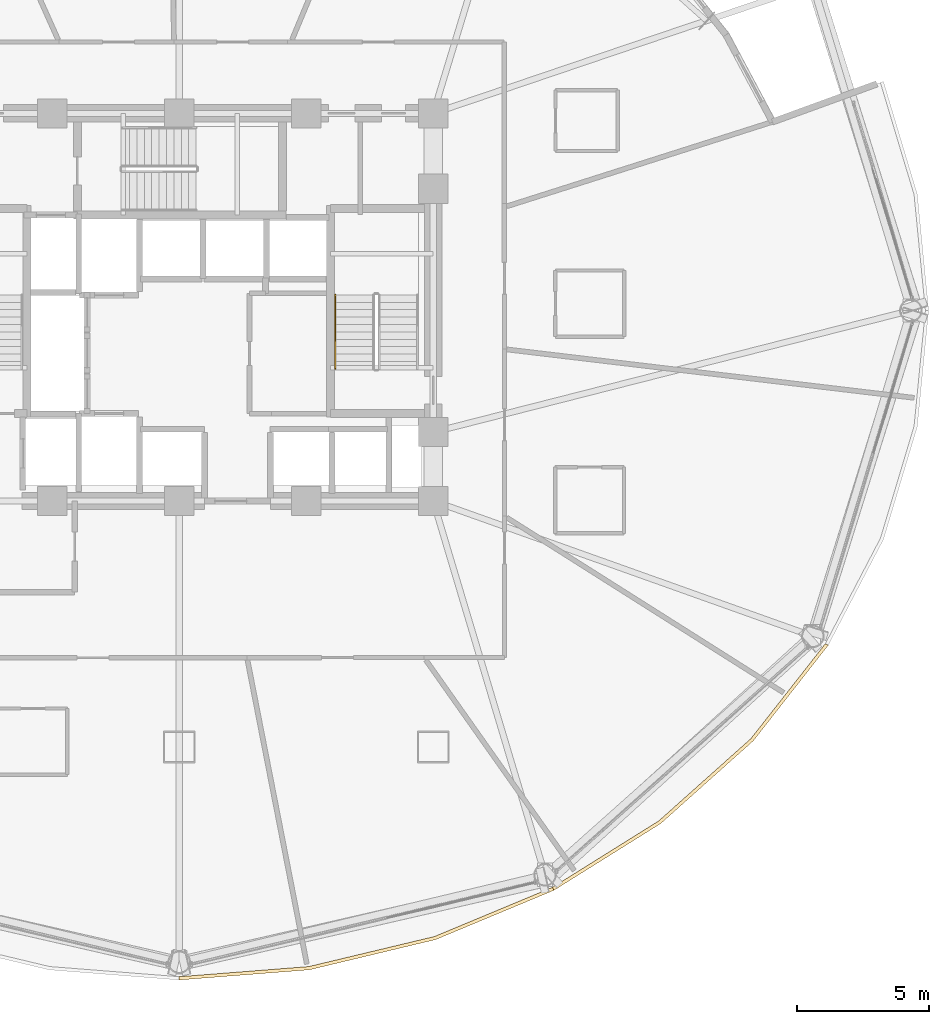
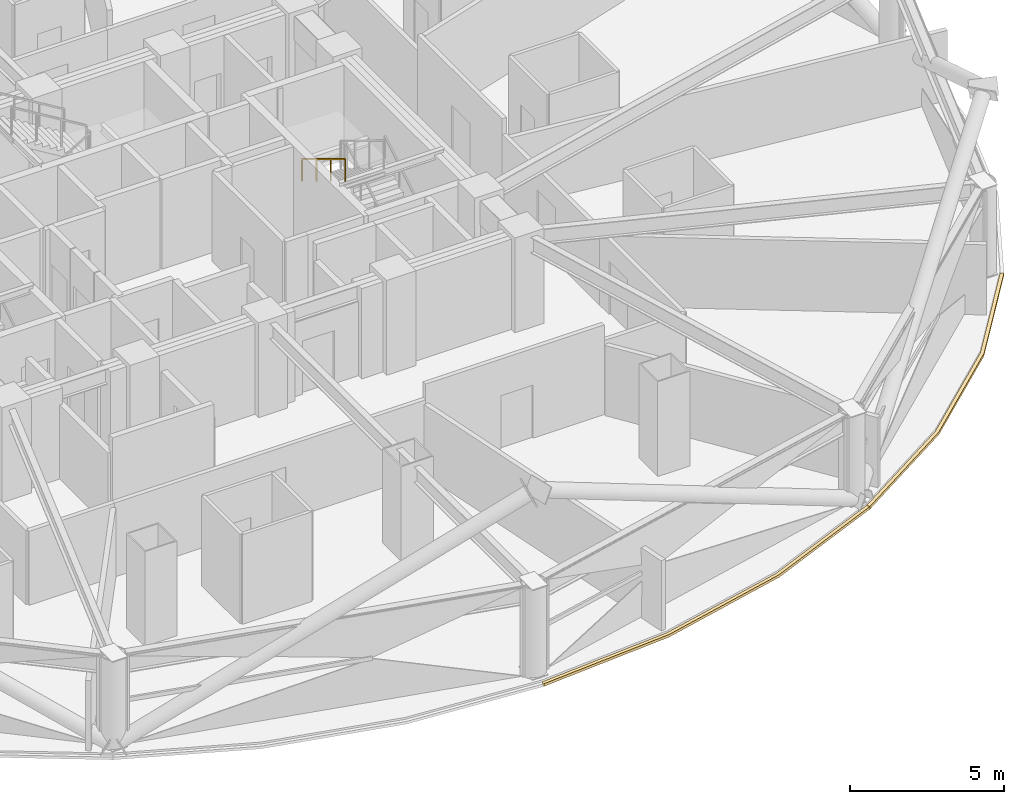
# One storey, part 31 of 33: 2 coverings, 1 railing.
"""IFC4 building model written with IfcOpenShell, lengths in metres."""

import ifcopenshell
import ifcopenshell.guid

model = None  # the IFC model being written
_history = None  # IfcOwnerHistory: only IFC2X3 demands one
_inside = {}  # id of a spatial element -> (the spatial element, [elements in it])
_under = {}  # id of a project, library or spatial element -> (it, [spatial elements below it])
_declared = {}  # id of a project -> (the project, [libraries it declares])
_typed = {}  # id of a type object -> (the type object, [elements of that type])
_made_of = {}  # id of a material, layer set ... -> (it, [elements and type objects made of it])


def new_model(schema):
    """Start an empty IFC model of exactly this schema.

    Asked for "IFC4X3", IfcOpenShell would pick the latest addendum, in which some entities
    have other attributes; the version numbers below select the first issue.
    IFC2X3 requires an IfcOwnerHistory on every rooted entity: one is made here for all.
    """
    global model, _history
    if schema == "IFC4X3":
        model = ifcopenshell.file(schema_version=(4, 3, 0, 0))
    else:
        model = ifcopenshell.file(schema=schema)
    _inside.clear()
    _under.clear()
    _declared.clear()
    _typed.clear()
    _made_of.clear()
    _history = None
    if model.schema == "IFC2X3":
        org = make("IfcOrganization", Name="unknown")
        user = make(
            "IfcPersonAndOrganization",
            ThePerson=make("IfcPerson", FamilyName="unknown"),
            TheOrganization=org,
        )
        app = make(
            "IfcApplication",
            ApplicationDeveloper=org,
            Version="unknown",
            ApplicationFullName="unknown",
            ApplicationIdentifier="unknown",
        )
        _history = make(
            "IfcOwnerHistory",
            OwningUser=user,
            OwningApplication=app,
            ChangeAction="ADDED",
            CreationDate=0,
        )
    return model


def make(cls, **values):
    """One entity of the class cls with the attributes given. An attribute that is None is left unset."""
    return model.create_entity(
        cls, **{name: value for name, value in values.items() if value is not None}
    )


def rooted(cls, **values):
    """An entity with a GlobalId (a new one), such as an element, a storey or a relation."""
    return make(cls, GlobalId=ifcopenshell.guid.new(), OwnerHistory=_history, **values)


def si_unit(unit_type, name, prefix=None):
    """IfcSIUnit, for example si_unit("LENGTHUNIT", "METRE", prefix="MILLI")."""
    return make("IfcSIUnit", UnitType=unit_type, Prefix=prefix, Name=name)


def assignment(units):
    """IfcUnitAssignment: the units of a project."""
    return None if units is None else make("IfcUnitAssignment", Units=units)


def point(xyz):
    """IfcCartesianPoint."""
    return None if xyz is None else make("IfcCartesianPoint", Coordinates=xyz)


def direction(xyz):
    """IfcDirection."""
    return None if xyz is None else make("IfcDirection", DirectionRatios=xyz)


def frame(location, z_axis=None, x_axis=None):
    """IfcAxis2Placement3D, a coordinate frame: its origin and axes. An axis left out is left unset."""
    return make(
        "IfcAxis2Placement3D",
        Location=point(location),
        Axis=direction(z_axis),
        RefDirection=direction(x_axis),
    )


def frame_2d(location, x_axis=None):
    """IfcAxis2Placement2D, a coordinate frame in the plane: its origin and x axis."""
    return make(
        "IfcAxis2Placement2D", Location=point(location), RefDirection=direction(x_axis)
    )


def origin():
    """The frame at (0, 0, 0) with its axes left unset."""
    return frame((0.0, 0.0, 0.0))


def origin_2d():
    """The frame at (0, 0) in the plane with its x axis left unset."""
    return frame_2d((0.0, 0.0))


def place(relative_to, where):
    """IfcLocalPlacement: puts the frame where relative to a parent placement (None: the world)."""
    return make(
        "IfcLocalPlacement", PlacementRelTo=relative_to, RelativePlacement=where
    )


def context(
    kind, dimensions, precision=None, world=None, true_north=None, identifier=None
):
    """IfcGeometricRepresentationContext, for example the 3D "Model" context."""
    return make(
        "IfcGeometricRepresentationContext",
        ContextIdentifier=identifier,
        ContextType=kind,
        CoordinateSpaceDimension=dimensions,
        Precision=precision,
        WorldCoordinateSystem=world,
        TrueNorth=true_north,
    )


def subcontext(parent, identifier, kind, view, scale=None):
    """IfcGeometricRepresentationSubContext, for example "Body" below "Model"."""
    return make(
        "IfcGeometricRepresentationSubContext",
        ContextIdentifier=identifier,
        ContextType=kind,
        ParentContext=parent,
        TargetScale=scale,
        TargetView=view,
    )


def project(units=None, contexts=None):
    """IfcProject with its units and contexts."""
    return rooted(
        "IfcProject",
        Name="project",
        RepresentationContexts=contexts,
        UnitsInContext=assignment(units),
    )


def spatial(cls, under=None, at=None, **own):
    """A site, building, storey or space (cls), placed at a placement, below another one or the project."""
    s = rooted(cls, ObjectPlacement=at, **own)
    if under is not None:
        _under.setdefault(under.id(), (under, []))[1].append(s)
    return s


def polyline(points):
    """IfcPolyline through the points."""
    return make("IfcPolyline", Points=[point(p) for p in points])


def profile(cls, at=None, kind="AREA", **sizes):
    """A parametric profile (cls). Its sizes go by their IFC names, for example OverallWidth=200.0."""
    return make(cls, ProfileType=kind, Position=at, **sizes)


def rectangle(**sizes):
    """IfcRectangleProfileDef."""
    return profile("IfcRectangleProfileDef", **sizes)


def outline(outer, holes=None, kind="AREA"):
    """IfcArbitraryClosedProfileDef: a profile drawn as a closed curve; with holes, ...WithVoids."""
    if holes is None:
        return make("IfcArbitraryClosedProfileDef", ProfileType=kind, OuterCurve=outer)
    return make(
        "IfcArbitraryProfileDefWithVoids",
        ProfileType=kind,
        OuterCurve=outer,
        InnerCurves=holes,
    )


def extrude(swept, where, along, depth):
    """IfcExtrudedAreaSolid: the profile swept, set in the frame where, extruded along a direction by depth."""
    return make(
        "IfcExtrudedAreaSolid",
        SweptArea=swept,
        Position=where,
        ExtrudedDirection=direction(along),
        Depth=depth,
    )


def shape(context_of_items, identifier, shape_type, items):
    """IfcShapeRepresentation: the items that make up one representation, for example the "Body"."""
    return make(
        "IfcShapeRepresentation",
        ContextOfItems=context_of_items,
        RepresentationIdentifier=identifier,
        RepresentationType=shape_type,
        Items=items,
    )


def material(Name=None, Category=None):
    """IfcMaterial."""
    return make("IfcMaterial", Name=Name, Category=Category)


def layer(
    of_material, thickness, ventilated=None, Name=None, Category=None, Priority=None
):
    """IfcMaterialLayer: one layer of a wall or slab, of a material (None: an air gap)."""
    return make(
        "IfcMaterialLayer",
        Material=of_material,
        LayerThickness=thickness,
        IsVentilated=ventilated,
        Name=Name,
        Category=Category,
        Priority=Priority,
    )


def layer_set(layers, Name=None):
    """IfcMaterialLayerSet."""
    return make("IfcMaterialLayerSet", MaterialLayers=layers, LayerSetName=Name)


def made_of(thing, what):
    """Note that an element or type object is made of a material, layer set ...; save() writes the relation."""
    if what is not None:
        _made_of.setdefault(what.id(), (what, []))[1].append(thing)
    return thing


def type_object(cls, material=None, **own):
    """A type object (cls), such as IfcWallType, which elements share."""
    return made_of(rooted(cls, **own), material)


def element(
    cls,
    number,
    at=None,
    inside=None,
    cuts=None,
    type_object=None,
    material=None,
    context=None,
    identifier="Body",
    shape_type=None,
    held_by="IfcProductDefinitionShape",
    body=None,
    shapes=None,
    **own,
):
    """One element of the class cls, such as IfcWall. Its Tag is "e" and its number.

    at: its placement. inside: the storey or other place that contains it. cuts: it is an
    opening in that element (IfcRelVoidsElement). A single representation is given by context,
    identifier, shape_type and body (its items); several are given by shapes. held_by: the class
    of the entity that holds the representations. save() writes the other relations.
    """
    e = rooted(cls, Tag="e%d" % number, ObjectPlacement=at, **own)
    if body is not None:
        shapes = [shape(context, identifier, shape_type, body)]
    if shapes is not None:
        e.Representation = make(held_by, Representations=shapes)
    if inside is not None:
        _inside.setdefault(inside.id(), (inside, []))[1].append(e)
    if cuts is not None:
        rooted(
            "IfcRelVoidsElement", RelatingBuildingElement=cuts, RelatedOpeningElement=e
        )
    if type_object is not None:
        _typed.setdefault(type_object.id(), (type_object, []))[1].append(e)
    return made_of(e, material)


def aggregate(whole, parts):
    """IfcRelAggregates: a whole, such as a stair, and the parts it consists of."""
    return rooted("IfcRelAggregates", RelatingObject=whole, RelatedObjects=parts)


def save(model, path):
    """Write the relations noted so far, then the file.

    IfcRelAggregates (storeys below a building ...), IfcRelContainedInSpatialStructure (elements
    in a storey), IfcRelDefinesByType, IfcRelAssociatesMaterial and IfcRelDeclares: one each for
    every whole, place, type object, material and project.
    """
    for whole, parts in _under.values():
        aggregate(whole, parts)
    for where, things in _inside.values():
        rooted(
            "IfcRelContainedInSpatialStructure",
            RelatedElements=things,
            RelatingStructure=where,
        )
    for kind, things in _typed.values():
        rooted("IfcRelDefinesByType", RelatedObjects=things, RelatingType=kind)
    for what, things in _made_of.values():
        rooted("IfcRelAssociatesMaterial", RelatedObjects=things, RelatingMaterial=what)
    for by, libraries in _declared.values():
        rooted("IfcRelDeclares", RelatingContext=by, RelatedDefinitions=libraries)
    model.write(path)


model = new_model("IFC4")

# Units and contexts
model_context = context("Model", 3, precision=1e-05, world=origin(), true_north=direction((0.0, 1.0)))
body_context = subcontext(model_context, "Body", "Model", "MODEL_VIEW")
ifc_project = project(units=[si_unit("LENGTHUNIT", "METRE"), si_unit("AREAUNIT", "SQUARE_METRE"), si_unit("VOLUMEUNIT", "CUBIC_METRE"), si_unit("PLANEANGLEUNIT", "RADIAN"), si_unit("MASSUNIT", "GRAM", prefix="KILO")], contexts=[model_context])

# Site, building, storey
site_placement = place(None, origin())
site = spatial("IfcSite", under=ifc_project, at=site_placement, CompositionType="ELEMENT")
building_placement = place(site_placement, origin())
building = spatial("IfcBuilding", under=site, at=building_placement, Name="Vantalir Tower", CompositionType="ELEMENT")
storey_placement = place(building_placement, frame((0.0, 0.0, 72.0)))
storey = spatial("IfcBuildingStorey", under=building, at=storey_placement, Name="L17", CompositionType="ELEMENT", Elevation=72.0)

# Coverings
ifc_material_1 = material(Name="Anodised champagne aluminium sill fascia", Category="aluminium")
ifc_layer = layer(ifc_material_1, 0.125)
ifc_layer_set = layer_set([ifc_layer], Name="Anodised champagne aluminium sill fascia")
covering_type = type_object("IfcCoveringType", Name="COV-SLAB-FASCIA-125", PredefinedType="CLADDING", material=ifc_layer_set)
covering_1_placement = place(storey_placement, frame((0.0, 0.0, -0.179931640625)))
element("IfcCovering", 1, at=covering_1_placement, inside=storey, type_object=covering_type, Name="L17 Perimeter Slab-Edge Sill Fascia 10", PredefinedType="CLADDING", context=body_context, shape_type="SweptSolid", body=[
    extrude(outline(polyline([(31.5, -0.303955078125), (36.4189453125, 0.080078125), (41.18798828125, 1.221923828125), (45.6630859375, 3.0859375), (45.60009765625, 3.194091796875), (41.14501953125, 1.339111328125), (36.39697265625, 0.2041015625), (31.5, -0.178955078125), (31.5, -0.303955078125)])), origin(), (0.0, 0.0, 1.0), 0.10498046875),
])
covering_2_placement = place(storey_placement, frame((0.0, 0.0, -0.179931640625)))
element("IfcCovering", 2, at=covering_2_placement, inside=storey, type_object=covering_type, Name="L17 Perimeter Slab-Edge Sill Fascia 11", PredefinedType="CLADDING", context=body_context, shape_type="SweptSolid", body=[
    extrude(outline(polyline([(45.6630859375, 3.0859375), (49.70703125, 5.615966796875), (53.197998046875, 8.735107421875), (56.030029296875, 12.347900390625), (55.922119140625, 12.409912109375), (53.10205078125, 8.81494140625), (49.626953125, 5.7119140625), (45.60009765625, 3.194091796875), (45.6630859375, 3.0859375)])), origin(), (0.0, 0.0, 1.0), 0.10498046875),
])

# Railing
ifc_material_2 = material(Name="Brushed stainless steel tubular handrail", Category="steel")
railing_type = type_object("IfcRailingType", Name="RAL-HANDRAIL-900", PredefinedType="HANDRAIL", material=ifc_material_2)
railing_placement = place(storey_placement, frame((37.39990234375, 25.590087890625, 2.04541015625)))
element("IfcRailing", 3, at=railing_placement, inside=storey, type_object=railing_type, Name="L17 ST2 stair handrail 2", PredefinedType="HANDRAIL", context=body_context, shape_type="SweptSolid", body=[
    extrude(rectangle(XDim=0.048095703125, YDim=0.048095703125, at=origin_2d()), frame((0.0, 0.0, 0.8759765625), z_axis=(0.0, -0.854169791009, 0.51999420009), x_axis=(1.0, 0.0, 0.0)), (0.0, 0.0, 1.0), 3.278076171875),
    extrude(rectangle(XDim=0.0419921875, YDim=0.0419921875, at=origin_2d()), origin(), (0.0, 0.0, 1.0), 0.851806640625),
    extrude(rectangle(XDim=0.0419921875, YDim=0.0419921875, at=origin_2d()), frame((0.0, -0.933349609375, 0.568115234375)), (0.0, 0.0, 1.0), 0.851806640625),
    extrude(rectangle(XDim=0.0419921875, YDim=0.0419921875, at=origin_2d()), frame((0.0, -1.86669921875, 1.136474609375)), (0.0, 0.0, 1.0), 0.851806640625),
    extrude(rectangle(XDim=0.0419921875, YDim=0.0419921875, at=origin_2d()), frame((0.0, -2.800048828125, 1.70458984375)), (0.0, 0.0, 1.0), 0.851806640625),
])

save(model, "model.ifc")
